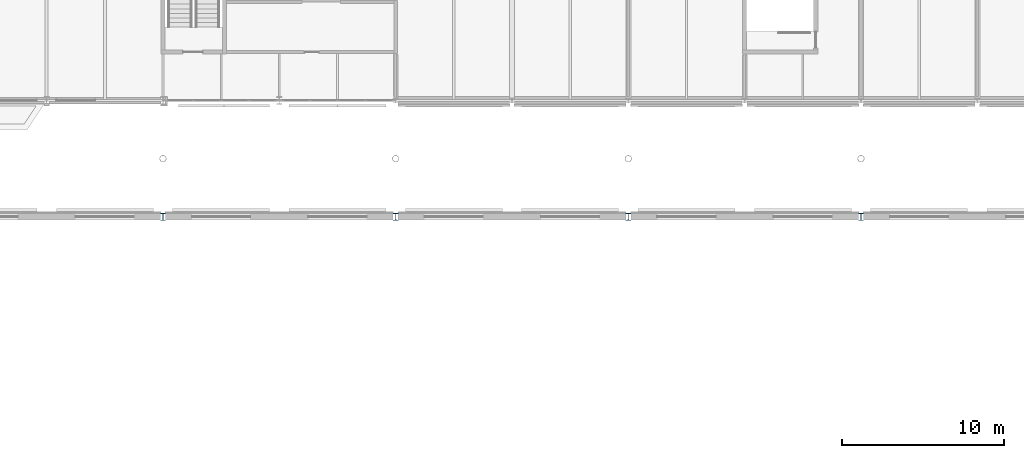
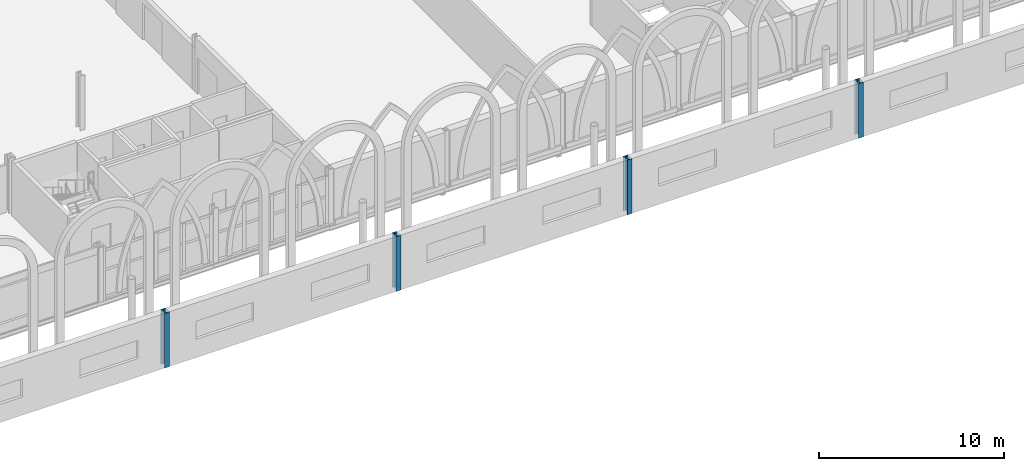
# One storey, part 22 of 143: 4 columns.
"""IFC4 building model written with IfcOpenShell, lengths in metres."""

from ifc_helpers import new_model, si_unit, direction, frame, origin, origin_2d, place, context, subcontext, project, spatial, i_section, extrude, material, material_profile, profile_set, type_object, element, save


model = new_model("IFC4")

# Units and contexts
model_context = context("Model", 3, precision=1e-05, world=origin(), true_north=direction((0.0, 1.0)))
body_context = subcontext(model_context, "Body", "Model", "MODEL_VIEW")
ifc_project = project(units=[si_unit("LENGTHUNIT", "METRE"), si_unit("AREAUNIT", "SQUARE_METRE"), si_unit("VOLUMEUNIT", "CUBIC_METRE"), si_unit("PLANEANGLEUNIT", "RADIAN"), si_unit("MASSUNIT", "GRAM", prefix="KILO")], contexts=[model_context])

# Site, building, storey
site_placement = place(None, origin())
site = spatial("IfcSite", under=ifc_project, at=site_placement, CompositionType="ELEMENT")
building_placement = place(site_placement, origin())
building = spatial("IfcBuilding", under=site, at=building_placement, Name="Kupolbacken Congress Centre", CompositionType="ELEMENT")
storey_placement = place(building_placement, frame((0.0, 0.0, 7.199951171875)))
storey = spatial("IfcBuildingStorey", under=building, at=storey_placement, Name="L02", CompositionType="ELEMENT", Elevation=7.199951171875)

# Columns
ifc_material = material(Name="Steel S355", Category="steel")
ifc_material_profile = material_profile(ifc_material, i_section(OverallWidth=0.300048828125, OverallDepth=0.43994140625, WebThickness=0.011474609375, FlangeThickness=0.02099609375, FilletRadius=0.027099609375, at=origin_2d()), Name="HEA 450")
ifc_profile_set = profile_set([ifc_material_profile], Name="Steel S355")
column_type = type_object("IfcColumnType", Name="C07 column HEA 450", PredefinedType="COLUMN", material=ifc_profile_set)
for number, where, z_axis, x_axis, name in (
    (1, (136.800048828125, 115.199951171875, 0.0), (0.0, 0.0, 1.0), (1.0, 0.0, 0.0), "S/col/C-H-T4N/L02"),
    (2, (151.199951171875, 115.199951171875, 0.0), (0.0, 0.0, 1.0), (1.0, 0.0, 0.0), "S/col/C-H-T5N/L02"),
    (3, (165.60009765625, 115.199951171875, 0.0), (0.0, 0.0, 1.0), (1.0, 0.0, 0.0), "S/col/C-H-T6N/L02"),
    (4, (180.0, 115.199951171875, 0.0), (0.0, 0.0, 1.0), (1.0, 0.0, 0.0), "S/col/C-H-T7N/L02"),
):
    element("IfcColumn", number, at=place(storey_placement, frame(where, z_axis=z_axis, x_axis=x_axis)), inside=storey, type_object=column_type, Name=name, PredefinedType="COLUMN", context=body_context, shape_type="SweptSolid", body=[
        extrude(i_section(OverallWidth=0.300048828125, OverallDepth=0.43994140625, WebThickness=0.011474609375, FlangeThickness=0.02099609375, FilletRadius=0.027099609375, at=origin_2d()), origin(), (0.0, 0.0, 1.0), 3.60009765625),
    ])

save(model, "model.ifc")
